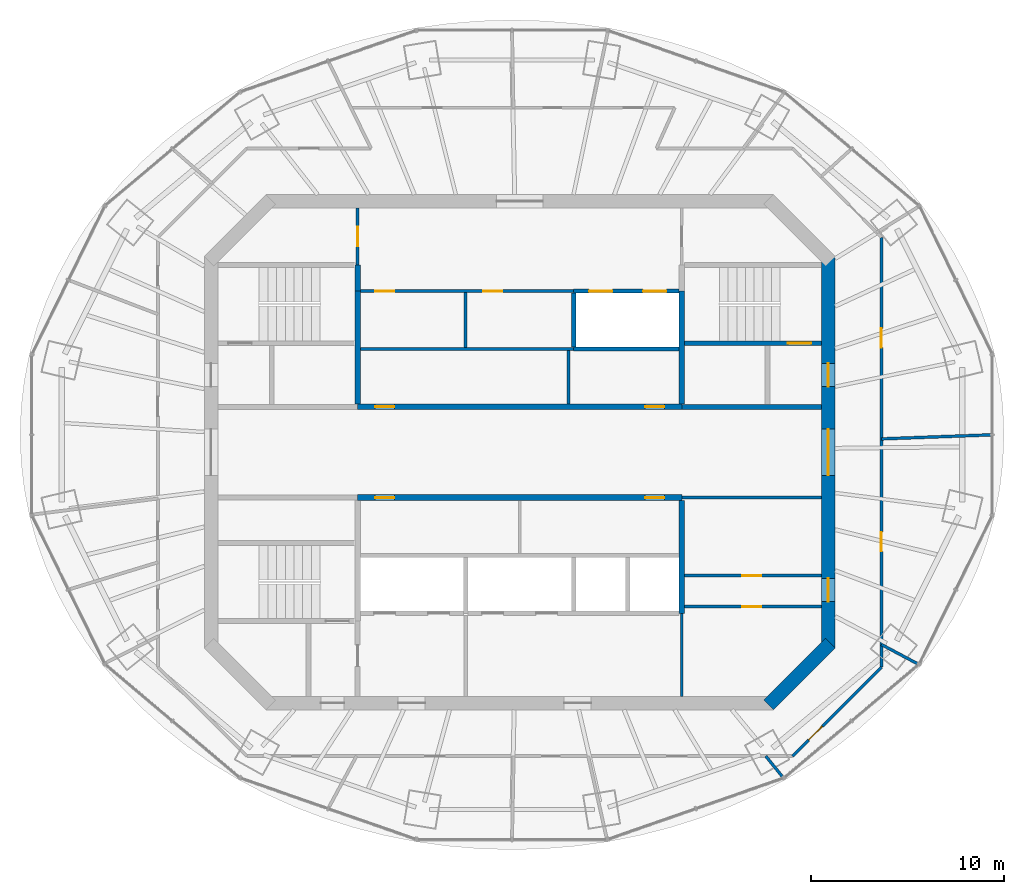
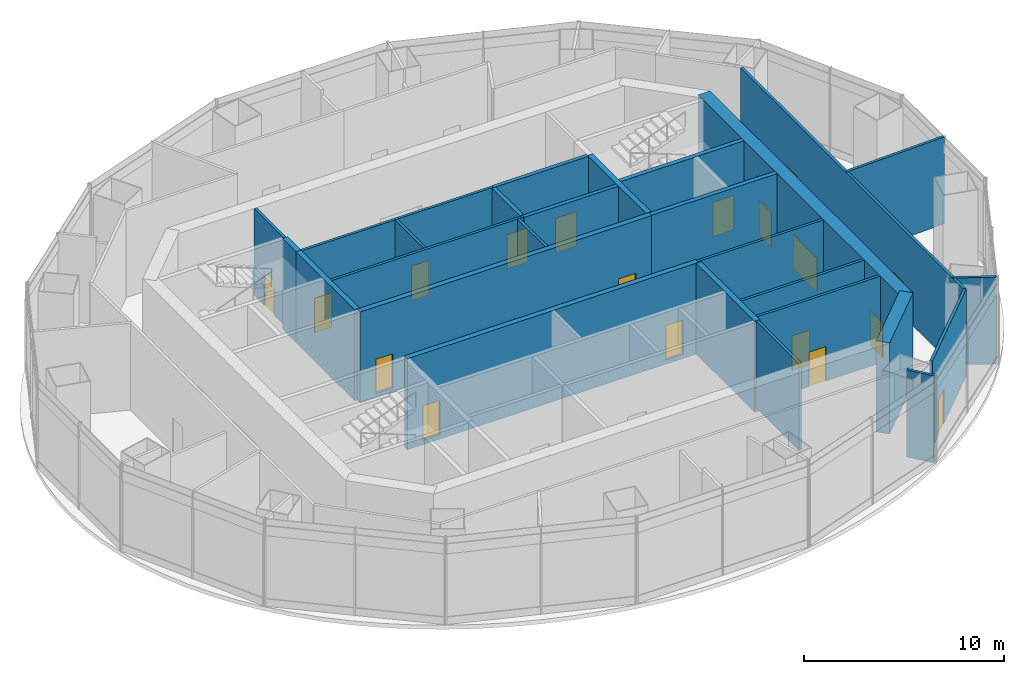
# One storey, part 10 of 13: 27 walls, 18 doors, 18 openings.
"""IFC4 building model written with IfcOpenShell, lengths in metres."""

from ifc_helpers import new_model, si_unit, direction, frame, frame_2d, origin, place, context, subcontext, project, spatial, rectangle, extrude, material, layer, layer_set, type_object, element, fill, save


model = new_model("IFC4")

# Units and contexts
model_context = context("Model", 3, precision=1e-05, world=origin(), true_north=direction((0.0, 1.0)))
body_context = subcontext(model_context, "Body", "Model", "MODEL_VIEW")
ifc_project = project(units=[si_unit("LENGTHUNIT", "METRE"), si_unit("AREAUNIT", "SQUARE_METRE"), si_unit("VOLUMEUNIT", "CUBIC_METRE"), si_unit("PLANEANGLEUNIT", "RADIAN"), si_unit("MASSUNIT", "GRAM", prefix="KILO")], contexts=[model_context])

# Site, building, storey
site_placement = place(None, origin())
site = spatial("IfcSite", under=ifc_project, at=site_placement, CompositionType="ELEMENT")
building_placement = place(site_placement, origin())
building = spatial("IfcBuilding", under=site, at=building_placement, Name="Marenthal Gate Tower", CompositionType="ELEMENT")
storey_placement = place(building_placement, frame((0.0, 0.0, 401.949951171875)))
storey = spatial("IfcBuildingStorey", under=building, at=storey_placement, Name="L91", CompositionType="ELEMENT", Elevation=401.949951171875)

# Wall
ifc_material_1 = material(Name="Concrete 60 MPa", Category="concrete")
ifc_layer_1 = layer(ifc_material_1, 0.699951171875)
ifc_layer_set_1 = layer_set([ifc_layer_1], Name="Core shear wall 700")
wall_type_1 = type_object("IfcWallType", Name="Core shear wall 700", PredefinedType="SHEAR", material=ifc_layer_set_1)
wall_1_placement = place(storey_placement, frame((12.8974609375, -13.1025390625, -0.25), z_axis=(0.0, 0.0, 1.0), x_axis=(0.707106781187, 0.707106781187, 0.0)))
element("IfcWall", 1, at=wall_1_placement, inside=storey, type_object=wall_type_1, Name="Core wall 01", PredefinedType="SHEAR", context=body_context, shape_type="SweptSolid", body=[
    extrude(rectangle(XDim=4.53271484375, YDim=0.699951171875, at=frame_2d((2.266357421875, 0.0))), origin(), (0.0, 0.0, 1.0), 5.550048828125),
])

# Wall, openings, doors
wall_2_placement = place(storey_placement, frame((16.0, -10.14501953125, -0.25), z_axis=(0.0, 0.0, 1.0), x_axis=(0.0, 1.0, 0.0)))
wall_2 = element("IfcWall", 2, at=wall_2_placement, inside=storey, type_object=wall_type_1, Name="Core wall 02", PredefinedType="SHEAR", context=body_context, shape_type="SweptSolid", body=[
    extrude(rectangle(XDim=20.2900390625, YDim=0.699951171875, at=frame_2d((10.14501953125, 0.0))), origin(), (0.0, 0.0, 1.0), 5.550048828125),
])
opening_1_placement = place(wall_2_placement, frame((8.945068359375, 0.0, 0.25)))
opening_1 = element("IfcOpeningElement", 3, at=opening_1_placement, cuts=wall_2, Name="Opening D003.02", PredefinedType="OPENING", context=body_context, shape_type="SweptSolid", body=[
    extrude(rectangle(XDim=2.39990234375, YDim=2.10009765625, at=frame_2d((1.199951171875, 1.050048828125))), frame((0.0, 0.35986328125, 0.0), z_axis=(0.0, -1.0, 0.0), x_axis=(1.0, 0.0, 0.0)), (0.0, 0.0, 1.0), 0.719970703125),
])
opening_2_placement = place(wall_2_placement, frame((13.544921875, 0.0, 0.25)))
opening_2 = element("IfcOpeningElement", 4, at=opening_2_placement, cuts=wall_2, Name="Opening D001.05", PredefinedType="OPENING", context=body_context, shape_type="SweptSolid", body=[
    extrude(rectangle(XDim=1.199951171875, YDim=2.10009765625, at=frame_2d((0.60009765625, 1.050048828125))), frame((0.0, 0.35986328125, 0.0), z_axis=(0.0, -1.0, 0.0), x_axis=(1.0, 0.0, 0.0)), (0.0, 0.0, 1.0), 0.719970703125),
])
opening_3_placement = place(wall_2_placement, frame((2.39990234375, 0.0, 0.25)))
opening_3 = element("IfcOpeningElement", 5, at=opening_3_placement, cuts=wall_2, Name="Opening D006.01", PredefinedType="OPENING", context=body_context, shape_type="SweptSolid", body=[
    extrude(rectangle(XDim=1.199951171875, YDim=2.10009765625, at=frame_2d((0.60009765625, 1.050048828125))), frame((0.0, 0.35986328125, 0.0), z_axis=(0.0, -1.0, 0.0), x_axis=(1.0, 0.0, 0.0)), (0.0, 0.0, 1.0), 0.719970703125),
])
ifc_material_2 = material(Name="Steel fire door", Category="steel")
door_type_1 = type_object("IfcDoorType", Name="Double fire door FD 45 2400 x 2100", OperationType="DOUBLE_DOOR_SINGLE_SWING", PredefinedType="DOOR", material=ifc_material_2)
door_1_placement = place(opening_1_placement, origin())
door_1 = element("IfcDoor", 6, at=door_1_placement, inside=storey, type_object=door_type_1, Name="Door D003.02", OperationType="DOUBLE_DOOR_SINGLE_SWING", OverallHeight=2.10009765625, OverallWidth=2.39990234375, PredefinedType="DOOR", context=body_context, shape_type="SweptSolid", body=[
    extrude(rectangle(XDim=2.39990234375, YDim=2.10009765625, at=frame_2d((1.199951171875, 1.050048828125))), frame((0.0, 0.02490234375, 0.0), z_axis=(0.0, -1.0, 0.0), x_axis=(1.0, 0.0, 0.0)), (0.0, 0.0, 1.0), 0.050048828125),
])
fill(opening_1, door_1)
ifc_material_3 = material(Name="Steel fire door", Category="steel")
door_type_2 = type_object("IfcDoorType", Name="Fire door FD 45 1200 x 2100", OperationType="NOTDEFINED", PredefinedType="DOOR", material=ifc_material_3)
door_2_placement = place(opening_3_placement, origin())
door_2 = element("IfcDoor", 7, at=door_2_placement, inside=storey, type_object=door_type_2, Name="Door D006.01", OperationType="SINGLE_SWING_RIGHT", OverallHeight=2.10009765625, OverallWidth=1.199951171875, PredefinedType="DOOR", context=body_context, shape_type="SweptSolid", body=[
    extrude(rectangle(XDim=1.199951171875, YDim=2.10009765625, at=frame_2d((0.60009765625, 1.050048828125))), frame((0.0, 0.02490234375, 0.0), z_axis=(0.0, -1.0, 0.0), x_axis=(1.0, 0.0, 0.0)), (0.0, 0.0, 1.0), 0.050048828125),
])
fill(opening_3, door_2)
ifc_material_4 = material(Name="Steel fire door", Category="steel")
door_type_3 = type_object("IfcDoorType", Name="Fire door FD 90 1200 x 2100", OperationType="NOTDEFINED", PredefinedType="DOOR", material=ifc_material_4)
door_3_placement = place(opening_2_placement, origin())
door_3 = element("IfcDoor", 8, at=door_3_placement, inside=storey, type_object=door_type_3, Name="Door D001.05", OperationType="SINGLE_SWING_RIGHT", OverallHeight=2.10009765625, OverallWidth=1.199951171875, PredefinedType="DOOR", context=body_context, shape_type="SweptSolid", body=[
    extrude(rectangle(XDim=1.199951171875, YDim=2.10009765625, at=frame_2d((0.60009765625, 1.050048828125))), frame((0.0, 0.02490234375, 0.0), z_axis=(0.0, -1.0, 0.0), x_axis=(1.0, 0.0, 0.0)), (0.0, 0.0, 1.0), 0.050048828125),
])
fill(opening_2, door_3)

ifc_material_5 = material(Name="Concrete 50 MPa", Category="concrete")
ifc_layer_2 = layer(ifc_material_5, 0.300048828125)
ifc_layer_set_2 = layer_set([ifc_layer_2], Name="Hoistway shear wall 300")
wall_type_2 = type_object("IfcWallType", Name="Hoistway shear wall 300", PredefinedType="SHEAR", material=ifc_layer_set_2)
wall_3_placement = place(storey_placement, frame((-8.39990234375, -2.35009765625, -0.25), z_axis=(0.0, 0.0, 1.0), x_axis=(1.0, 0.0, 0.0)))
wall_3 = element("IfcWall", 9, at=wall_3_placement, inside=storey, type_object=wall_type_2, Name="Hoistway wall 17", PredefinedType="SHEAR", context=body_context, shape_type="SweptSolid", body=[
    extrude(rectangle(XDim=16.7998046875, YDim=0.300048828125, at=frame_2d((8.39990234375, 0.0))), origin(), (0.0, 0.0, 1.0), 5.550048828125),
])
opening_4_placement = place(wall_3_placement, frame((0.89990234375, 0.0, 0.25)))
opening_4 = element("IfcOpeningElement", 10, at=opening_4_placement, cuts=wall_3, Name="Opening D005.05", PredefinedType="OPENING", context=body_context, shape_type="SweptSolid", body=[
    extrude(rectangle(XDim=1.0, YDim=2.10009765625, at=frame_2d((0.5, 1.050048828125))), frame((0.0, 0.16015625, 0.0), z_axis=(0.0, -1.0, 0.0), x_axis=(1.0, 0.0, 0.0)), (0.0, 0.0, 1.0), 0.320068359375),
])
opening_5_placement = place(wall_3_placement, frame((14.89990234375, 0.0, 0.25)))
opening_5 = element("IfcOpeningElement", 11, at=opening_5_placement, cuts=wall_3, Name="Opening D005.06", PredefinedType="OPENING", context=body_context, shape_type="SweptSolid", body=[
    extrude(rectangle(XDim=1.0, YDim=2.10009765625, at=frame_2d((0.5, 1.050048828125))), frame((0.0, 0.16015625, 0.0), z_axis=(0.0, -1.0, 0.0), x_axis=(1.0, 0.0, 0.0)), (0.0, 0.0, 1.0), 0.320068359375),
])
ifc_material_6 = material(Name="Steel fire door", Category="steel")
door_type_4 = type_object("IfcDoorType", Name="Fire door FD 45 1000 x 2100", OperationType="NOTDEFINED", PredefinedType="DOOR", material=ifc_material_6)
door_4_placement = place(opening_4_placement, frame((1.0, 0.0, 0.0), z_axis=(0.0, 0.0, 1.0), x_axis=(-1.0, 0.0, 0.0)))
door_4 = element("IfcDoor", 12, at=door_4_placement, inside=storey, type_object=door_type_4, Name="Door D005.05", OperationType="SINGLE_SWING_LEFT", OverallHeight=2.10009765625, OverallWidth=1.0, PredefinedType="DOOR", context=body_context, shape_type="SweptSolid", body=[
    extrude(rectangle(XDim=1.0, YDim=2.10009765625, at=frame_2d((0.5, 1.050048828125))), frame((0.0, 0.02490234375, 0.0), z_axis=(0.0, -1.0, 0.0), x_axis=(1.0, 0.0, 0.0)), (0.0, 0.0, 1.0), 0.050048828125),
])
fill(opening_4, door_4)
door_5_placement = place(opening_5_placement, frame((1.0, 0.0, 0.0), z_axis=(0.0, 0.0, 1.0), x_axis=(-1.0, 0.0, 0.0)))
door_5 = element("IfcDoor", 13, at=door_5_placement, inside=storey, type_object=door_type_4, Name="Door D005.06", OperationType="SINGLE_SWING_LEFT", OverallHeight=2.10009765625, OverallWidth=1.0, PredefinedType="DOOR", context=body_context, shape_type="SweptSolid", body=[
    extrude(rectangle(XDim=1.0, YDim=2.10009765625, at=frame_2d((0.5, 1.050048828125))), frame((0.0, 0.02490234375, 0.0), z_axis=(0.0, -1.0, 0.0), x_axis=(1.0, 0.0, 0.0)), (0.0, 0.0, 1.0), 0.050048828125),
])
fill(opening_5, door_5)

wall_4_placement = place(storey_placement, frame((-8.39990234375, 2.35009765625, -0.25), z_axis=(0.0, 0.0, 1.0), x_axis=(1.0, 0.0, 0.0)))
wall_4 = element("IfcWall", 14, at=wall_4_placement, inside=storey, type_object=wall_type_2, Name="Hoistway wall 20", PredefinedType="SHEAR", context=body_context, shape_type="SweptSolid", body=[
    extrude(rectangle(XDim=16.7998046875, YDim=0.300048828125, at=frame_2d((8.39990234375, 0.0))), origin(), (0.0, 0.0, 1.0), 5.550048828125),
])
opening_6_placement = place(wall_4_placement, frame((0.89990234375, 0.0, 0.25)))
opening_6 = element("IfcOpeningElement", 15, at=opening_6_placement, cuts=wall_4, Name="Opening D005.01", PredefinedType="OPENING", context=body_context, shape_type="SweptSolid", body=[
    extrude(rectangle(XDim=1.0, YDim=2.10009765625, at=frame_2d((0.5, 1.050048828125))), frame((0.0, 0.16015625, 0.0), z_axis=(0.0, -1.0, 0.0), x_axis=(1.0, 0.0, 0.0)), (0.0, 0.0, 1.0), 0.320068359375),
])
opening_7_placement = place(wall_4_placement, frame((14.89990234375, 0.0, 0.25)))
opening_7 = element("IfcOpeningElement", 16, at=opening_7_placement, cuts=wall_4, Name="Opening D005.02", PredefinedType="OPENING", context=body_context, shape_type="SweptSolid", body=[
    extrude(rectangle(XDim=1.0, YDim=2.10009765625, at=frame_2d((0.5, 1.050048828125))), frame((0.0, 0.16015625, 0.0), z_axis=(0.0, -1.0, 0.0), x_axis=(1.0, 0.0, 0.0)), (0.0, 0.0, 1.0), 0.320068359375),
])
door_6_placement = place(opening_6_placement, origin())
door_6 = element("IfcDoor", 17, at=door_6_placement, inside=storey, type_object=door_type_4, Name="Door D005.01", OperationType="SINGLE_SWING_RIGHT", OverallHeight=2.10009765625, OverallWidth=1.0, PredefinedType="DOOR", context=body_context, shape_type="SweptSolid", body=[
    extrude(rectangle(XDim=1.0, YDim=2.10009765625, at=frame_2d((0.5, 1.050048828125))), frame((0.0, 0.02490234375, 0.0), z_axis=(0.0, -1.0, 0.0), x_axis=(1.0, 0.0, 0.0)), (0.0, 0.0, 1.0), 0.050048828125),
])
fill(opening_6, door_6)
door_7_placement = place(opening_7_placement, origin())
door_7 = element("IfcDoor", 18, at=door_7_placement, inside=storey, type_object=door_type_4, Name="Door D005.02", OperationType="SINGLE_SWING_RIGHT", OverallHeight=2.10009765625, OverallWidth=1.0, PredefinedType="DOOR", context=body_context, shape_type="SweptSolid", body=[
    extrude(rectangle(XDim=1.0, YDim=2.10009765625, at=frame_2d((0.5, 1.050048828125))), frame((0.0, 0.02490234375, 0.0), z_axis=(0.0, -1.0, 0.0), x_axis=(1.0, 0.0, 0.0)), (0.0, 0.0, 1.0), 0.050048828125),
])
fill(opening_7, door_7)

# Walls
for number, where, z_axis, x_axis, name in (
    (19, (-8.39990234375, 2.5, -0.25), (0.0, 0.0, 1.0), (0.0, 1.0, 0.0), "Hoistway wall 34"),
    (20, (8.39990234375, -8.35009765625, -0.25), (0.0, 0.0, 1.0), (0.0, 1.0, 0.0), "Hoistway wall 46"),
    (21, (8.39990234375, 2.5, -0.25), (0.0, 0.0, 1.0), (0.0, 1.0, 0.0), "Hoistway wall 47"),
):
    element("IfcWall", number, at=place(storey_placement, frame(where, z_axis=z_axis, x_axis=x_axis)), inside=storey, type_object=wall_type_2, Name=name, PredefinedType="SHEAR", context=body_context, shape_type="SweptSolid", body=[
        extrude(rectangle(XDim=5.85009765625, YDim=0.300048828125, at=frame_2d((2.925048828125, 0.0))), origin(), (0.0, 0.0, 1.0), 5.550048828125),
    ])
ifc_material_7 = material(Name="Concrete 40 MPa", Category="concrete")
ifc_layer_3 = layer(ifc_material_7, 0.219970703125)
ifc_layer_set_3 = layer_set([ifc_layer_3], Name="Hoistway wall 220")
wall_type_3 = type_object("IfcWallType", Name="Hoistway wall 220", PredefinedType="STANDARD", material=ifc_layer_set_3)
wall_5_placement = place(storey_placement, frame((2.800048828125, 5.35009765625, 0.0), z_axis=(0.0, 0.0, 1.0), x_axis=(1.0, 0.0, 0.0)))
element("IfcWall", 22, at=wall_5_placement, inside=storey, type_object=wall_type_3, Name="Hoistway wall 23", PredefinedType="STANDARD", context=body_context, shape_type="SweptSolid", body=[
    extrude(rectangle(XDim=5.449951171875, YDim=0.219970703125, at=frame_2d((2.72509765625, 0.0))), origin(), (0.0, 0.0, 1.0), 5.300048828125),
])

# Wall, openings, doors
wall_6_placement = place(storey_placement, frame((2.800048828125, 8.35009765625, 0.0), z_axis=(0.0, 0.0, 1.0), x_axis=(1.0, 0.0, 0.0)))
wall_6 = element("IfcWall", 23, at=wall_6_placement, inside=storey, type_object=wall_type_3, Name="Hoistway wall 27", PredefinedType="STANDARD", context=body_context, shape_type="SweptSolid", body=[
    extrude(rectangle(XDim=5.449951171875, YDim=0.219970703125, at=frame_2d((2.72509765625, 0.0))), origin(), (0.0, 0.0, 1.0), 5.300048828125),
])
opening_8_placement = place(wall_6_placement, frame((0.800048828125, 0.0, 0.0)))
opening_8 = element("IfcOpeningElement", 24, at=opening_8_placement, cuts=wall_6, Name="Opening LD-OB1", PredefinedType="OPENING", context=body_context, shape_type="SweptSolid", body=[
    extrude(rectangle(XDim=1.199951171875, YDim=2.10009765625, at=frame_2d((0.60009765625, 1.050048828125))), frame((0.0, 0.1201171875, 0.0), z_axis=(0.0, -1.0, 0.0), x_axis=(1.0, 0.0, 0.0)), (0.0, 0.0, 1.0), 0.239990234375),
])
opening_9_placement = place(wall_6_placement, frame((3.60009765625, 0.0, 0.0)))
opening_9 = element("IfcOpeningElement", 25, at=opening_9_placement, cuts=wall_6, Name="Opening LD-OB2", PredefinedType="OPENING", context=body_context, shape_type="SweptSolid", body=[
    extrude(rectangle(XDim=1.199951171875, YDim=2.10009765625, at=frame_2d((0.60009765625, 1.050048828125))), frame((0.0, 0.1201171875, 0.0), z_axis=(0.0, -1.0, 0.0), x_axis=(1.0, 0.0, 0.0)), (0.0, 0.0, 1.0), 0.239990234375),
])
ifc_material_8 = material(Name="Stainless steel sliding door", Category="steel")
door_type_5 = type_object("IfcDoorType", Name="Lift landing door FD 90 1200 x 2100", OperationType="DOUBLE_DOOR_SLIDING", PredefinedType="DOOR", material=ifc_material_8)
door_8_placement = place(opening_8_placement, origin())
door_8 = element("IfcDoor", 26, at=door_8_placement, inside=storey, type_object=door_type_5, Name="Lift landing door OB1", OperationType="DOUBLE_DOOR_SLIDING", OverallHeight=2.10009765625, OverallWidth=1.199951171875, PredefinedType="DOOR", context=body_context, shape_type="SweptSolid", body=[
    extrude(rectangle(XDim=1.199951171875, YDim=2.10009765625, at=frame_2d((0.60009765625, 1.050048828125))), frame((0.0, 0.02490234375, 0.0), z_axis=(0.0, -1.0, 0.0), x_axis=(1.0, 0.0, 0.0)), (0.0, 0.0, 1.0), 0.050048828125),
])
fill(opening_8, door_8)
door_9_placement = place(opening_9_placement, origin())
door_9 = element("IfcDoor", 27, at=door_9_placement, inside=storey, type_object=door_type_5, Name="Lift landing door OB2", OperationType="DOUBLE_DOOR_SLIDING", OverallHeight=2.10009765625, OverallWidth=1.199951171875, PredefinedType="DOOR", context=body_context, shape_type="SweptSolid", body=[
    extrude(rectangle(XDim=1.199951171875, YDim=2.10009765625, at=frame_2d((0.60009765625, 1.050048828125))), frame((0.0, 0.02490234375, 0.0), z_axis=(0.0, -1.0, 0.0), x_axis=(1.0, 0.0, 0.0)), (0.0, 0.0, 1.0), 0.050048828125),
])
fill(opening_9, door_9)

# Wall
wall_7_placement = place(storey_placement, frame((2.800048828125, 5.4599609375, 0.0), z_axis=(0.0, 0.0, 1.0), x_axis=(0.0, 1.0, 0.0)))
element("IfcWall", 28, at=wall_7_placement, inside=storey, type_object=wall_type_3, Name="Hoistway wall 43", PredefinedType="STANDARD", context=body_context, shape_type="SweptSolid", body=[
    extrude(rectangle(XDim=2.780029296875, YDim=0.219970703125, at=frame_2d((1.39013671875, 0.0))), origin(), (0.0, 0.0, 1.0), 5.300048828125),
])

# Wall, opening, door
ifc_material_9 = material(Name="Gypsum board on steel studs", Category="steel")
ifc_layer_4 = layer(ifc_material_9, 0.14990234375)
ifc_layer_set_4 = layer_set([ifc_layer_4], Name="Partition 150")
wall_type_4 = type_object("IfcWallType", Name="Partition 150", PredefinedType="PARTITIONING", material=ifc_layer_set_4)
wall_8_placement = place(storey_placement, frame((8.550048828125, -8.0, 0.0), z_axis=(0.0, 0.0, 1.0), x_axis=(1.0, 0.0, 0.0)))
wall_8 = element("IfcWall", 29, at=wall_8_placement, inside=storey, type_object=wall_type_4, Name="Partition wall 12", PredefinedType="PARTITIONING", context=body_context, shape_type="SweptSolid", body=[
    extrude(rectangle(XDim=7.099853515625, YDim=0.14990234375, at=frame_2d((3.5498046875, 0.0))), origin(), (0.0, 0.0, 1.0), 5.300048828125),
])
opening_10_placement = place(wall_8_placement, frame((2.97509765625, 0.0, 0.0)))
opening_10 = element("IfcOpeningElement", 30, at=opening_10_placement, cuts=wall_8, Name="Opening D005.10", PredefinedType="OPENING", context=body_context, shape_type="SweptSolid", body=[
    extrude(rectangle(XDim=1.0, YDim=2.10009765625, at=frame_2d((0.5, 1.050048828125))), frame((0.0, 0.0849609375, 0.0), z_axis=(0.0, -1.0, 0.0), x_axis=(1.0, 0.0, 0.0)), (0.0, 0.0, 1.0), 0.169921875),
])
door_10_placement = place(opening_10_placement, frame((1.0, 0.0, 0.0), z_axis=(0.0, 0.0, 1.0), x_axis=(-1.0, 0.0, 0.0)))
door_10 = element("IfcDoor", 31, at=door_10_placement, inside=storey, type_object=door_type_4, Name="Door D005.10", OperationType="SINGLE_SWING_LEFT", OverallHeight=2.10009765625, OverallWidth=1.0, PredefinedType="DOOR", context=body_context, shape_type="SweptSolid", body=[
    extrude(rectangle(XDim=1.0, YDim=2.10009765625, at=frame_2d((0.5, 1.050048828125))), frame((0.0, 0.02490234375, 0.0), z_axis=(0.0, -1.0, 0.0), x_axis=(1.0, 0.0, 0.0)), (0.0, 0.0, 1.0), 0.050048828125),
])
fill(opening_10, door_10)

wall_9_placement = place(storey_placement, frame((8.550048828125, -6.39990234375, 0.0), z_axis=(0.0, 0.0, 1.0), x_axis=(1.0, 0.0, 0.0)))
wall_9 = element("IfcWall", 32, at=wall_9_placement, inside=storey, type_object=wall_type_4, Name="Partition wall 13", PredefinedType="PARTITIONING", context=body_context, shape_type="SweptSolid", body=[
    extrude(rectangle(XDim=7.099853515625, YDim=0.14990234375, at=frame_2d((3.5498046875, 0.0))), origin(), (0.0, 0.0, 1.0), 5.300048828125),
])
opening_11_placement = place(wall_9_placement, frame((2.97509765625, 0.0, 0.0)))
opening_11 = element("IfcOpeningElement", 33, at=opening_11_placement, cuts=wall_9, Name="Opening D005.09", PredefinedType="OPENING", context=body_context, shape_type="SweptSolid", body=[
    extrude(rectangle(XDim=1.0, YDim=2.10009765625, at=frame_2d((0.5, 1.050048828125))), frame((0.0, 0.0849609375, 0.0), z_axis=(0.0, -1.0, 0.0), x_axis=(1.0, 0.0, 0.0)), (0.0, 0.0, 1.0), 0.169921875),
])
door_11_placement = place(opening_11_placement, origin())
door_11 = element("IfcDoor", 34, at=door_11_placement, inside=storey, type_object=door_type_4, Name="Door D005.09", OperationType="SINGLE_SWING_RIGHT", OverallHeight=2.10009765625, OverallWidth=1.0, PredefinedType="DOOR", context=body_context, shape_type="SweptSolid", body=[
    extrude(rectangle(XDim=1.0, YDim=2.10009765625, at=frame_2d((0.5, 1.050048828125))), frame((0.0, 0.02490234375, 0.0), z_axis=(0.0, -1.0, 0.0), x_axis=(1.0, 0.0, 0.0)), (0.0, 0.0, 1.0), 0.050048828125),
])
fill(opening_11, door_11)

# Walls
wall_10_placement = place(storey_placement, frame((8.39990234375, -2.35009765625, 0.0), z_axis=(0.0, 0.0, 1.0), x_axis=(1.0, 0.0, 0.0)))
element("IfcWall", 35, at=wall_10_placement, inside=storey, type_object=wall_type_4, Name="Partition wall 18", PredefinedType="PARTITIONING", context=body_context, shape_type="SweptSolid", body=[
    extrude(rectangle(XDim=7.25, YDim=0.14990234375, at=frame_2d((3.625, 0.0))), origin(), (0.0, 0.0, 1.0), 5.300048828125),
])
wall_11_placement = place(storey_placement, frame((-8.25, 5.35009765625, 0.0), z_axis=(0.0, 0.0, 1.0), x_axis=(1.0, 0.0, 0.0)))
element("IfcWall", 36, at=wall_11_placement, inside=storey, type_object=wall_type_4, Name="Partition wall 22", PredefinedType="PARTITIONING", context=body_context, shape_type="SweptSolid", body=[
    extrude(rectangle(XDim=11.050048828125, YDim=0.14990234375, at=frame_2d((5.52490234375, 0.0))), origin(), (0.0, 0.0, 1.0), 5.300048828125),
])

# Wall, openings, doors
wall_12_placement = place(storey_placement, frame((-8.25, 8.35009765625, 0.0), z_axis=(0.0, 0.0, 1.0), x_axis=(1.0, 0.0, 0.0)))
wall_12 = element("IfcWall", 37, at=wall_12_placement, inside=storey, type_object=wall_type_4, Name="Partition wall 26", PredefinedType="PARTITIONING", context=body_context, shape_type="SweptSolid", body=[
    extrude(rectangle(XDim=11.050048828125, YDim=0.14990234375, at=frame_2d((5.52490234375, 0.0))), origin(), (0.0, 0.0, 1.0), 5.300048828125),
])
opening_12_placement = place(wall_12_placement, frame((0.75, 0.0, 0.0)))
opening_12 = element("IfcOpeningElement", 38, at=opening_12_placement, cuts=wall_12, Name="Opening D005.03", PredefinedType="OPENING", context=body_context, shape_type="SweptSolid", body=[
    extrude(rectangle(XDim=1.0, YDim=2.10009765625, at=frame_2d((0.5, 1.050048828125))), frame((0.0, 0.0849609375, 0.0), z_axis=(0.0, -1.0, 0.0), x_axis=(1.0, 0.0, 0.0)), (0.0, 0.0, 1.0), 0.169921875),
])
opening_13_placement = place(wall_12_placement, frame((6.35009765625, 0.0, 0.0)))
opening_13 = element("IfcOpeningElement", 39, at=opening_13_placement, cuts=wall_12, Name="Opening D005.04", PredefinedType="OPENING", context=body_context, shape_type="SweptSolid", body=[
    extrude(rectangle(XDim=1.0, YDim=2.10009765625, at=frame_2d((0.5, 1.050048828125))), frame((0.0, 0.0849609375, 0.0), z_axis=(0.0, -1.0, 0.0), x_axis=(1.0, 0.0, 0.0)), (0.0, 0.0, 1.0), 0.169921875),
])
door_12_placement = place(opening_12_placement, frame((1.0, 0.0, 0.0), z_axis=(0.0, 0.0, 1.0), x_axis=(-1.0, 0.0, 0.0)))
door_12 = element("IfcDoor", 40, at=door_12_placement, inside=storey, type_object=door_type_4, Name="Door D005.03", OperationType="SINGLE_SWING_LEFT", OverallHeight=2.10009765625, OverallWidth=1.0, PredefinedType="DOOR", context=body_context, shape_type="SweptSolid", body=[
    extrude(rectangle(XDim=1.0, YDim=2.10009765625, at=frame_2d((0.5, 1.050048828125))), frame((0.0, 0.02490234375, 0.0), z_axis=(0.0, -1.0, 0.0), x_axis=(1.0, 0.0, 0.0)), (0.0, 0.0, 1.0), 0.050048828125),
])
fill(opening_12, door_12)
door_13_placement = place(opening_13_placement, frame((1.0, 0.0, 0.0), z_axis=(0.0, 0.0, 1.0), x_axis=(-1.0, 0.0, 0.0)))
door_13 = element("IfcDoor", 41, at=door_13_placement, inside=storey, type_object=door_type_4, Name="Door D005.04", OperationType="SINGLE_SWING_LEFT", OverallHeight=2.10009765625, OverallWidth=1.0, PredefinedType="DOOR", context=body_context, shape_type="SweptSolid", body=[
    extrude(rectangle(XDim=1.0, YDim=2.10009765625, at=frame_2d((0.5, 1.050048828125))), frame((0.0, 0.02490234375, 0.0), z_axis=(0.0, -1.0, 0.0), x_axis=(1.0, 0.0, 0.0)), (0.0, 0.0, 1.0), 0.050048828125),
])
fill(opening_13, door_13)

# Wall, opening, door
wall_13_placement = place(storey_placement, frame((-8.39990234375, 9.699951171875, 0.0), z_axis=(0.0, 0.0, 1.0), x_axis=(0.0, 1.0, 0.0)))
wall_13 = element("IfcWall", 42, at=wall_13_placement, inside=storey, type_object=wall_type_4, Name="Partition wall 36", PredefinedType="PARTITIONING", context=body_context, shape_type="SweptSolid", body=[
    extrude(rectangle(XDim=2.949951171875, YDim=0.14990234375, at=frame_2d((1.47509765625, 0.0))), origin(), (0.0, 0.0, 1.0), 5.300048828125),
])
opening_14_placement = place(wall_13_placement, frame((0.97509765625, 0.0, 0.0)))
opening_14 = element("IfcOpeningElement", 43, at=opening_14_placement, cuts=wall_13, Name="Opening D005.07", PredefinedType="OPENING", context=body_context, shape_type="SweptSolid", body=[
    extrude(rectangle(XDim=1.0, YDim=2.10009765625, at=frame_2d((0.5, 1.050048828125))), frame((0.0, 0.0849609375, 0.0), z_axis=(0.0, -1.0, 0.0), x_axis=(1.0, 0.0, 0.0)), (0.0, 0.0, 1.0), 0.169921875),
])
door_14_placement = place(opening_14_placement, origin())
door_14 = element("IfcDoor", 44, at=door_14_placement, inside=storey, type_object=door_type_4, Name="Door D005.07", OperationType="SINGLE_SWING_RIGHT", OverallHeight=2.10009765625, OverallWidth=1.0, PredefinedType="DOOR", context=body_context, shape_type="SweptSolid", body=[
    extrude(rectangle(XDim=1.0, YDim=2.10009765625, at=frame_2d((0.5, 1.050048828125))), frame((0.0, 0.02490234375, 0.0), z_axis=(0.0, -1.0, 0.0), x_axis=(1.0, 0.0, 0.0)), (0.0, 0.0, 1.0), 0.050048828125),
])
fill(opening_14, door_14)

# Walls
wall_14_placement = place(storey_placement, frame((-2.800048828125, 5.425048828125, 0.0), z_axis=(0.0, 0.0, 1.0), x_axis=(0.0, 1.0, 0.0)))
element("IfcWall", 45, at=wall_14_placement, inside=storey, type_object=wall_type_4, Name="Partition wall 39", PredefinedType="PARTITIONING", context=body_context, shape_type="SweptSolid", body=[
    extrude(rectangle(XDim=2.849853515625, YDim=0.14990234375, at=frame_2d((1.4248046875, 0.0))), origin(), (0.0, 0.0, 1.0), 5.300048828125),
])
wall_15_placement = place(storey_placement, frame((2.52001953125, 2.5, 0.0), z_axis=(0.0, 0.0, 1.0), x_axis=(0.0, 1.0, 0.0)))
element("IfcWall", 46, at=wall_15_placement, inside=storey, type_object=wall_type_4, Name="Partition wall 41", PredefinedType="PARTITIONING", context=body_context, shape_type="SweptSolid", body=[
    extrude(rectangle(XDim=2.77490234375, YDim=0.14990234375, at=frame_2d((1.387451171875, 0.0))), origin(), (0.0, 0.0, 1.0), 5.300048828125),
])
wall_16_placement = place(storey_placement, frame((8.39990234375, -12.64990234375, 0.0), z_axis=(0.0, 0.0, 1.0), x_axis=(0.0, 1.0, 0.0)))
element("IfcWall", 47, at=wall_16_placement, inside=storey, type_object=wall_type_4, Name="Partition wall 45", PredefinedType="PARTITIONING", context=body_context, shape_type="SweptSolid", body=[
    extrude(rectangle(XDim=4.2998046875, YDim=0.14990234375, at=frame_2d((2.14990234375, 0.0))), origin(), (0.0, 0.0, 1.0), 5.300048828125),
])
wall_17_placement = place(storey_placement, frame((18.75, 0.68896484375, 0.0), z_axis=(0.0, 0.0, 1.0), x_axis=(0.999324436598, 0.036751468252, 0.0)))
element("IfcWall", 48, at=wall_17_placement, inside=storey, type_object=wall_type_4, Name="Partition wall 54", PredefinedType="PARTITIONING", context=body_context, shape_type="SweptSolid", body=[
    extrude(rectangle(XDim=5.726318359375, YDim=0.14990234375, at=frame_2d((2.86328125, 0.0))), origin(), (0.0, 0.0, 1.0), 5.300048828125),
])

# Wall, opening, door
wall_18_placement = place(storey_placement, frame((14.13916015625, -15.75, 0.0), z_axis=(0.0, 0.0, 1.0), x_axis=(0.707106781187, 0.707106781187, 0.0)))
wall_18 = element("IfcWall", 49, at=wall_18_placement, inside=storey, type_object=wall_type_4, Name="Partition wall 59", PredefinedType="PARTITIONING", context=body_context, shape_type="SweptSolid", body=[
    extrude(rectangle(XDim=6.520751953125, YDim=0.14990234375, at=frame_2d((3.26025390625, 0.0))), origin(), (0.0, 0.0, 1.0), 5.300048828125),
])
opening_15_placement = place(wall_18_placement, frame((1.1826171875, 0.0, 0.0)))
opening_15 = element("IfcOpeningElement", 50, at=opening_15_placement, cuts=wall_18, Name="Opening D012.04", PredefinedType="OPENING", context=body_context, shape_type="SweptSolid", body=[
    extrude(rectangle(XDim=1.0, YDim=2.10009765625, at=frame_2d((0.5, 1.050048828125))), frame((0.0, 0.0849609375, 0.0), z_axis=(0.0, -1.0, 0.0), x_axis=(1.0, 0.0, 0.0)), (0.0, 0.0, 1.0), 0.169921875),
])
ifc_material_10 = material(Name="Timber door", Category="wood")
door_type_6 = type_object("IfcDoorType", Name="Door 1000 x 2100", OperationType="NOTDEFINED", PredefinedType="DOOR", material=ifc_material_10)
door_15_placement = place(opening_15_placement, frame((1.0, 0.0, 0.0), z_axis=(0.0, 0.0, 1.0), x_axis=(-1.0, 0.0, 0.0)))
door_15 = element("IfcDoor", 51, at=door_15_placement, inside=storey, type_object=door_type_6, Name="Door D012.04", OperationType="SINGLE_SWING_LEFT", OverallHeight=2.10009765625, OverallWidth=1.0, PredefinedType="DOOR", context=body_context, shape_type="SweptSolid", body=[
    extrude(rectangle(XDim=1.0, YDim=2.10009765625, at=frame_2d((0.5, 1.050048828125))), frame((0.0, 0.02490234375, 0.0), z_axis=(0.0, -1.0, 0.0), x_axis=(1.0, 0.0, 0.0)), (0.0, 0.0, 1.0), 0.050048828125),
])
fill(opening_15, door_15)

# Wall, openings, doors
wall_19_placement = place(storey_placement, frame((18.75, -11.13916015625, 0.0), z_axis=(0.0, 0.0, 1.0), x_axis=(0.0, 1.0, 0.0)))
wall_19 = element("IfcWall", 52, at=wall_19_placement, inside=storey, type_object=wall_type_4, Name="Partition wall 63", PredefinedType="PARTITIONING", context=body_context, shape_type="SweptSolid", body=[
    extrude(rectangle(XDim=22.2783203125, YDim=0.14990234375, at=frame_2d((11.13916015625, 0.0))), origin(), (0.0, 0.0, 1.0), 5.300048828125),
])
opening_16_placement = place(wall_19_placement, frame((5.998046875, 0.0, 0.0)))
opening_16 = element("IfcOpeningElement", 53, at=opening_16_placement, cuts=wall_19, Name="Opening D012.05", PredefinedType="OPENING", context=body_context, shape_type="SweptSolid", body=[
    extrude(rectangle(XDim=1.0, YDim=2.10009765625, at=frame_2d((0.5, 1.050048828125))), frame((0.0, 0.0849609375, 0.0), z_axis=(0.0, -1.0, 0.0), x_axis=(1.0, 0.0, 0.0)), (0.0, 0.0, 1.0), 0.169921875),
])
opening_17_placement = place(wall_19_placement, frame((16.55322265625, 0.0, 0.0)))
opening_17 = element("IfcOpeningElement", 54, at=opening_17_placement, cuts=wall_19, Name="Opening D012.06", PredefinedType="OPENING", context=body_context, shape_type="SweptSolid", body=[
    extrude(rectangle(XDim=1.0, YDim=2.10009765625, at=frame_2d((0.5, 1.050048828125))), frame((0.0, 0.0849609375, 0.0), z_axis=(0.0, -1.0, 0.0), x_axis=(1.0, 0.0, 0.0)), (0.0, 0.0, 1.0), 0.169921875),
])
door_16_placement = place(opening_16_placement, frame((1.0, 0.0, 0.0), z_axis=(0.0, 0.0, 1.0), x_axis=(-1.0, 0.0, 0.0)))
door_16 = element("IfcDoor", 55, at=door_16_placement, inside=storey, type_object=door_type_6, Name="Door D012.05", OperationType="SINGLE_SWING_LEFT", OverallHeight=2.10009765625, OverallWidth=1.0, PredefinedType="DOOR", context=body_context, shape_type="SweptSolid", body=[
    extrude(rectangle(XDim=1.0, YDim=2.10009765625, at=frame_2d((0.5, 1.050048828125))), frame((0.0, 0.02490234375, 0.0), z_axis=(0.0, -1.0, 0.0), x_axis=(1.0, 0.0, 0.0)), (0.0, 0.0, 1.0), 0.050048828125),
])
fill(opening_16, door_16)
door_17_placement = place(opening_17_placement, frame((1.0, 0.0, 0.0), z_axis=(0.0, 0.0, 1.0), x_axis=(-1.0, 0.0, 0.0)))
door_17 = element("IfcDoor", 56, at=door_17_placement, inside=storey, type_object=door_type_6, Name="Door D012.06", OperationType="SINGLE_SWING_LEFT", OverallHeight=2.10009765625, OverallWidth=1.0, PredefinedType="DOOR", context=body_context, shape_type="SweptSolid", body=[
    extrude(rectangle(XDim=1.0, YDim=2.10009765625, at=frame_2d((0.5, 1.050048828125))), frame((0.0, 0.02490234375, 0.0), z_axis=(0.0, -1.0, 0.0), x_axis=(1.0, 0.0, 0.0)), (0.0, 0.0, 1.0), 0.050048828125),
])
fill(opening_17, door_17)

# Walls
wall_20_placement = place(storey_placement, frame((13.65869140625, -16.8701171875, 0.0), z_axis=(0.0, 0.0, 1.0), x_axis=(-0.629290809625, 0.77716991509, 0.0)))
element("IfcWall", 57, at=wall_20_placement, inside=storey, type_object=wall_type_4, Name="Partition wall 67", PredefinedType="PARTITIONING", context=body_context, shape_type="SweptSolid", body=[
    extrude(rectangle(XDim=1.441162109375, YDim=0.14990234375, at=frame_2d((0.720703125, 0.0))), origin(), (0.0, 0.0, 1.0), 5.300048828125),
])
wall_21_placement = place(storey_placement, frame((20.66064453125, -10.9873046875, 0.0), z_axis=(0.0, 0.0, 1.0), x_axis=(-0.882908214284, 0.469545615621, 0.0)))
element("IfcWall", 58, at=wall_21_placement, inside=storey, type_object=wall_type_4, Name="Partition wall 71", PredefinedType="PARTITIONING", context=body_context, shape_type="SweptSolid", body=[
    extrude(rectangle(XDim=2.1640625, YDim=0.14990234375, at=frame_2d((1.08203125, 0.0))), origin(), (0.0, 0.0, 1.0), 5.300048828125),
])
ifc_material_11 = material(Name="Concrete 40 MPa", Category="concrete")
ifc_layer_5 = layer(ifc_material_11, 0.25)
ifc_layer_set_5 = layer_set([ifc_layer_5], Name="Stair enclosure wall 250")
wall_type_5 = type_object("IfcWallType", Name="Stair enclosure wall 250", PredefinedType="STANDARD", material=ifc_layer_set_5)
wall_22_placement = place(storey_placement, frame((8.39990234375, 2.35009765625, 0.0), z_axis=(0.0, 0.0, 1.0), x_axis=(1.0, 0.0, 0.0)))
element("IfcWall", 59, at=wall_22_placement, inside=storey, type_object=wall_type_5, Name="Stair wall 21", PredefinedType="STANDARD", context=body_context, shape_type="SweptSolid", body=[
    extrude(rectangle(XDim=7.25, YDim=0.25, at=frame_2d((3.625, 0.0))), origin(), (0.0, 0.0, 1.0), 5.300048828125),
])

# Wall, opening, door
ifc_material_12 = material(Name="Concrete 50 MPa", Category="concrete")
ifc_layer_6 = layer(ifc_material_12, 0.25)
ifc_layer_set_6 = layer_set([ifc_layer_6], Name="Stair shear wall 250")
wall_type_6 = type_object("IfcWallType", Name="Stair shear wall 250", PredefinedType="SHEAR", material=ifc_layer_set_6)
wall_23_placement = place(storey_placement, frame((8.550048828125, 5.64990234375, -0.25), z_axis=(0.0, 0.0, 1.0), x_axis=(1.0, 0.0, 0.0)))
wall_23 = element("IfcWall", 60, at=wall_23_placement, inside=storey, type_object=wall_type_6, Name="Stair wall 25", PredefinedType="SHEAR", context=body_context, shape_type="SweptSolid", body=[
    extrude(rectangle(XDim=7.099853515625, YDim=0.25, at=frame_2d((3.5498046875, 0.0))), origin(), (0.0, 0.0, 1.0), 5.550048828125),
])
opening_18_placement = place(wall_23_placement, frame((5.35009765625, 0.0, 0.25)))
opening_18 = element("IfcOpeningElement", 61, at=opening_18_placement, cuts=wall_23, Name="Opening D001.02", PredefinedType="OPENING", context=body_context, shape_type="SweptSolid", body=[
    extrude(rectangle(XDim=1.199951171875, YDim=2.10009765625, at=frame_2d((0.60009765625, 1.050048828125))), frame((0.0, 0.135009765625, 0.0), z_axis=(0.0, -1.0, 0.0), x_axis=(1.0, 0.0, 0.0)), (0.0, 0.0, 1.0), 0.27001953125),
])
door_18_placement = place(opening_18_placement, origin())
door_18 = element("IfcDoor", 62, at=door_18_placement, inside=storey, type_object=door_type_3, Name="Door D001.02", OperationType="SINGLE_SWING_RIGHT", OverallHeight=2.10009765625, OverallWidth=1.199951171875, PredefinedType="DOOR", context=body_context, shape_type="SweptSolid", body=[
    extrude(rectangle(XDim=1.199951171875, YDim=2.10009765625, at=frame_2d((0.60009765625, 1.050048828125))), frame((0.0, 0.02490234375, 0.0), z_axis=(0.0, -1.0, 0.0), x_axis=(1.0, 0.0, 0.0)), (0.0, 0.0, 1.0), 0.050048828125),
])
fill(opening_18, door_18)

# Wall
ifc_material_13 = material(Name="Concrete 50 MPa", Category="concrete")
ifc_layer_7 = layer(ifc_material_13, 0.300048828125)
ifc_layer_set_7 = layer_set([ifc_layer_7], Name="Stair shear wall 300")
wall_type_7 = type_object("IfcWallType", Name="Stair shear wall 300", PredefinedType="SHEAR", material=ifc_layer_set_7)
wall_24_placement = place(storey_placement, frame((-8.39990234375, 8.35009765625, -0.25), z_axis=(0.0, 0.0, 1.0), x_axis=(0.0, 1.0, 0.0)))
element("IfcWall", 63, at=wall_24_placement, inside=storey, type_object=wall_type_7, Name="Stair wall 35", PredefinedType="SHEAR", context=body_context, shape_type="SweptSolid", body=[
    extrude(rectangle(XDim=1.349853515625, YDim=0.300048828125, at=frame_2d((0.6748046875, 0.0))), origin(), (0.0, 0.0, 1.0), 5.550048828125),
])

save(model, "model.ifc")
